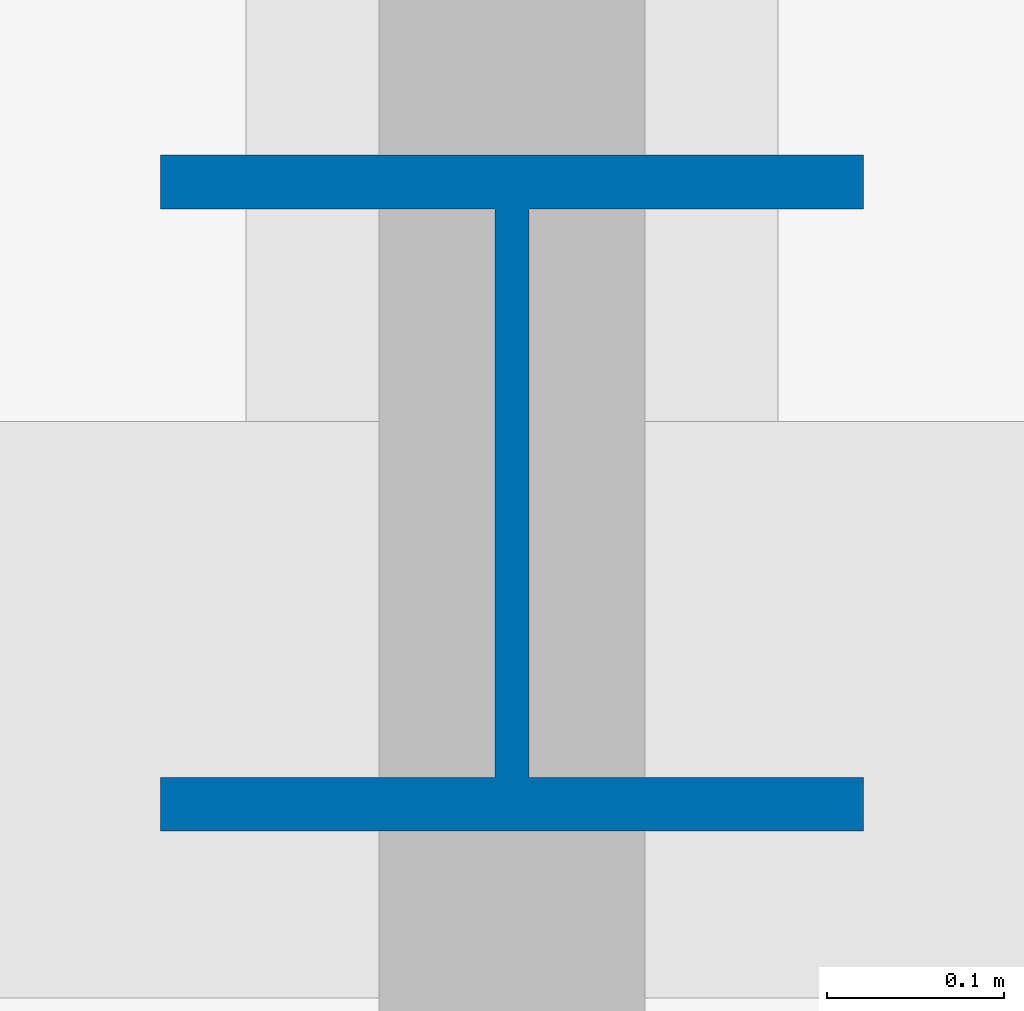
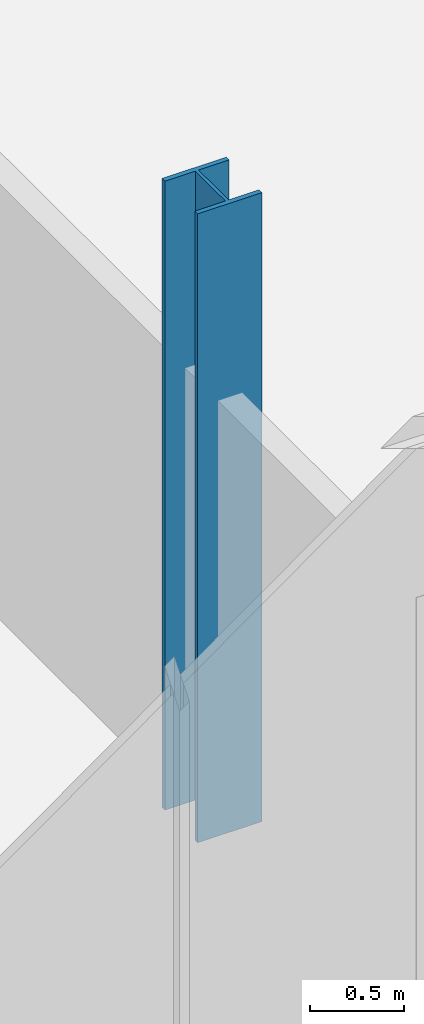
# One storey, part 2 of 22: 1 column.
"""IFC4 building model written with IfcOpenShell, lengths in metres."""

import ifcopenshell
import ifcopenshell.guid

model = None  # the IFC model being written
_history = None  # IfcOwnerHistory: only IFC2X3 demands one
_inside = {}  # id of a spatial element -> (the spatial element, [elements in it])
_under = {}  # id of a project, library or spatial element -> (it, [spatial elements below it])
_declared = {}  # id of a project -> (the project, [libraries it declares])
_typed = {}  # id of a type object -> (the type object, [elements of that type])
_made_of = {}  # id of a material, layer set ... -> (it, [elements and type objects made of it])


def new_model(schema):
    """Start an empty IFC model of exactly this schema.

    Asked for "IFC4X3", IfcOpenShell would pick the latest addendum, in which some entities
    have other attributes; the version numbers below select the first issue.
    IFC2X3 requires an IfcOwnerHistory on every rooted entity: one is made here for all.
    """
    global model, _history
    if schema == "IFC4X3":
        model = ifcopenshell.file(schema_version=(4, 3, 0, 0))
    else:
        model = ifcopenshell.file(schema=schema)
    _inside.clear()
    _under.clear()
    _declared.clear()
    _typed.clear()
    _made_of.clear()
    _history = None
    if model.schema == "IFC2X3":
        org = make("IfcOrganization", Name="unknown")
        user = make(
            "IfcPersonAndOrganization",
            ThePerson=make("IfcPerson", FamilyName="unknown"),
            TheOrganization=org,
        )
        app = make(
            "IfcApplication",
            ApplicationDeveloper=org,
            Version="unknown",
            ApplicationFullName="unknown",
            ApplicationIdentifier="unknown",
        )
        _history = make(
            "IfcOwnerHistory",
            OwningUser=user,
            OwningApplication=app,
            ChangeAction="ADDED",
            CreationDate=0,
        )
    return model


def make(cls, **values):
    """One entity of the class cls with the attributes given. An attribute that is None is left unset."""
    return model.create_entity(
        cls, **{name: value for name, value in values.items() if value is not None}
    )


def rooted(cls, **values):
    """An entity with a GlobalId (a new one), such as an element, a storey or a relation."""
    return make(cls, GlobalId=ifcopenshell.guid.new(), OwnerHistory=_history, **values)


def si_unit(unit_type, name, prefix=None):
    """IfcSIUnit, for example si_unit("LENGTHUNIT", "METRE", prefix="MILLI")."""
    return make("IfcSIUnit", UnitType=unit_type, Prefix=prefix, Name=name)


def assignment(units):
    """IfcUnitAssignment: the units of a project."""
    return None if units is None else make("IfcUnitAssignment", Units=units)


def point(xyz):
    """IfcCartesianPoint."""
    return None if xyz is None else make("IfcCartesianPoint", Coordinates=xyz)


def direction(xyz):
    """IfcDirection."""
    return None if xyz is None else make("IfcDirection", DirectionRatios=xyz)


def frame(location, z_axis=None, x_axis=None):
    """IfcAxis2Placement3D, a coordinate frame: its origin and axes. An axis left out is left unset."""
    return make(
        "IfcAxis2Placement3D",
        Location=point(location),
        Axis=direction(z_axis),
        RefDirection=direction(x_axis),
    )


def frame_2d(location, x_axis=None):
    """IfcAxis2Placement2D, a coordinate frame in the plane: its origin and x axis."""
    return make(
        "IfcAxis2Placement2D", Location=point(location), RefDirection=direction(x_axis)
    )


def origin():
    """The frame at (0, 0, 0) with its axes left unset."""
    return frame((0.0, 0.0, 0.0))


def origin_2d():
    """The frame at (0, 0) in the plane with its x axis left unset."""
    return frame_2d((0.0, 0.0))


def place(relative_to, where):
    """IfcLocalPlacement: puts the frame where relative to a parent placement (None: the world)."""
    return make(
        "IfcLocalPlacement", PlacementRelTo=relative_to, RelativePlacement=where
    )


def context(
    kind, dimensions, precision=None, world=None, true_north=None, identifier=None
):
    """IfcGeometricRepresentationContext, for example the 3D "Model" context."""
    return make(
        "IfcGeometricRepresentationContext",
        ContextIdentifier=identifier,
        ContextType=kind,
        CoordinateSpaceDimension=dimensions,
        Precision=precision,
        WorldCoordinateSystem=world,
        TrueNorth=true_north,
    )


def subcontext(parent, identifier, kind, view, scale=None):
    """IfcGeometricRepresentationSubContext, for example "Body" below "Model"."""
    return make(
        "IfcGeometricRepresentationSubContext",
        ContextIdentifier=identifier,
        ContextType=kind,
        ParentContext=parent,
        TargetScale=scale,
        TargetView=view,
    )


def project(units=None, contexts=None):
    """IfcProject with its units and contexts."""
    return rooted(
        "IfcProject",
        Name="project",
        RepresentationContexts=contexts,
        UnitsInContext=assignment(units),
    )


def spatial(cls, under=None, at=None, **own):
    """A site, building, storey or space (cls), placed at a placement, below another one or the project."""
    s = rooted(cls, ObjectPlacement=at, **own)
    if under is not None:
        _under.setdefault(under.id(), (under, []))[1].append(s)
    return s


def profile(cls, at=None, kind="AREA", **sizes):
    """A parametric profile (cls). Its sizes go by their IFC names, for example OverallWidth=200.0."""
    return make(cls, ProfileType=kind, Position=at, **sizes)


def i_section(**sizes):
    """IfcIShapeProfileDef."""
    return profile("IfcIShapeProfileDef", **sizes)


def extrude(swept, where, along, depth):
    """IfcExtrudedAreaSolid: the profile swept, set in the frame where, extruded along a direction by depth."""
    return make(
        "IfcExtrudedAreaSolid",
        SweptArea=swept,
        Position=where,
        ExtrudedDirection=direction(along),
        Depth=depth,
    )


def shape(context_of_items, identifier, shape_type, items):
    """IfcShapeRepresentation: the items that make up one representation, for example the "Body"."""
    return make(
        "IfcShapeRepresentation",
        ContextOfItems=context_of_items,
        RepresentationIdentifier=identifier,
        RepresentationType=shape_type,
        Items=items,
    )


def material(Name=None, Category=None):
    """IfcMaterial."""
    return make("IfcMaterial", Name=Name, Category=Category)


def material_profile(
    of_material, cross_section, Name=None, Category=None, Priority=None
):
    """IfcMaterialProfile: a cross section and its material."""
    return make(
        "IfcMaterialProfile",
        Name=Name,
        Material=of_material,
        Profile=cross_section,
        Priority=Priority,
        Category=Category,
    )


def profile_set(profiles, Name=None, composite=None):
    """IfcMaterialProfileSet."""
    return make(
        "IfcMaterialProfileSet",
        Name=Name,
        MaterialProfiles=profiles,
        CompositeProfile=composite,
    )


def made_of(thing, what):
    """Note that an element or type object is made of a material, layer set ...; save() writes the relation."""
    if what is not None:
        _made_of.setdefault(what.id(), (what, []))[1].append(thing)
    return thing


def type_object(cls, material=None, **own):
    """A type object (cls), such as IfcWallType, which elements share."""
    return made_of(rooted(cls, **own), material)


def element(
    cls,
    number,
    at=None,
    inside=None,
    cuts=None,
    type_object=None,
    material=None,
    context=None,
    identifier="Body",
    shape_type=None,
    held_by="IfcProductDefinitionShape",
    body=None,
    shapes=None,
    **own,
):
    """One element of the class cls, such as IfcWall. Its Tag is "e" and its number.

    at: its placement. inside: the storey or other place that contains it. cuts: it is an
    opening in that element (IfcRelVoidsElement). A single representation is given by context,
    identifier, shape_type and body (its items); several are given by shapes. held_by: the class
    of the entity that holds the representations. save() writes the other relations.
    """
    e = rooted(cls, Tag="e%d" % number, ObjectPlacement=at, **own)
    if body is not None:
        shapes = [shape(context, identifier, shape_type, body)]
    if shapes is not None:
        e.Representation = make(held_by, Representations=shapes)
    if inside is not None:
        _inside.setdefault(inside.id(), (inside, []))[1].append(e)
    if cuts is not None:
        rooted(
            "IfcRelVoidsElement", RelatingBuildingElement=cuts, RelatedOpeningElement=e
        )
    if type_object is not None:
        _typed.setdefault(type_object.id(), (type_object, []))[1].append(e)
    return made_of(e, material)


def aggregate(whole, parts):
    """IfcRelAggregates: a whole, such as a stair, and the parts it consists of."""
    return rooted("IfcRelAggregates", RelatingObject=whole, RelatedObjects=parts)


def save(model, path):
    """Write the relations noted so far, then the file.

    IfcRelAggregates (storeys below a building ...), IfcRelContainedInSpatialStructure (elements
    in a storey), IfcRelDefinesByType, IfcRelAssociatesMaterial and IfcRelDeclares: one each for
    every whole, place, type object, material and project.
    """
    for whole, parts in _under.values():
        aggregate(whole, parts)
    for where, things in _inside.values():
        rooted(
            "IfcRelContainedInSpatialStructure",
            RelatedElements=things,
            RelatingStructure=where,
        )
    for kind, things in _typed.values():
        rooted("IfcRelDefinesByType", RelatedObjects=things, RelatingType=kind)
    for what, things in _made_of.values():
        rooted("IfcRelAssociatesMaterial", RelatedObjects=things, RelatingMaterial=what)
    for by, libraries in _declared.values():
        rooted("IfcRelDeclares", RelatingContext=by, RelatedDefinitions=libraries)
    model.write(path)


model = new_model("IFC4")

# Units and contexts
model_context = context("Model", 3, precision=1e-05, world=origin(), true_north=direction((0.0, 1.0)))
body_context = subcontext(model_context, "Body", "Model", "MODEL_VIEW")
ifc_project = project(units=[si_unit("LENGTHUNIT", "METRE"), si_unit("AREAUNIT", "SQUARE_METRE"), si_unit("VOLUMEUNIT", "CUBIC_METRE"), si_unit("PLANEANGLEUNIT", "RADIAN"), si_unit("MASSUNIT", "GRAM", prefix="KILO")], contexts=[model_context])

# Site, building, storey
site_placement = place(None, origin())
site = spatial("IfcSite", under=ifc_project, at=site_placement, CompositionType="ELEMENT")
building_placement = place(site_placement, origin())
building = spatial("IfcBuilding", under=site, at=building_placement, Name="Bicima Exchange Tower", CompositionType="ELEMENT")
storey_placement = place(building_placement, frame((0.0, 0.0, 144.5)))
storey = spatial("IfcBuildingStorey", under=building, at=storey_placement, Name="L31", CompositionType="ELEMENT", Elevation=144.5)

# Column
ifc_material = material(Name="Steel ASTM A992 Gr 50", Category="steel")
ifc_material_profile = material_profile(ifc_material, i_section(OverallWidth=0.396240234375, OverallDepth=0.381103515625, WebThickness=0.01904296875, FlangeThickness=0.0302734375, at=origin_2d()))
ifc_profile_set = profile_set([ifc_material_profile], Name="Steel ASTM A992 Gr 50")
column_type = type_object("IfcColumnType", Name="Perimeter column W14x159", PredefinedType="COLUMN", material=ifc_profile_set)
column_placement = place(storey_placement, frame((26.10009765625, -33.3779296875, 0.0), z_axis=(0.0, 0.0, 1.0), x_axis=(1.0, 0.0, 0.0)))
element("IfcColumn", 1, at=column_placement, inside=storey, type_object=column_type, Name="Perimeter column grav+26.1f", PredefinedType="COLUMN", context=body_context, shape_type="SweptSolid", body=[
    extrude(i_section(OverallWidth=0.396240234375, OverallDepth=0.381103515625, WebThickness=0.01904296875, FlangeThickness=0.0302734375, at=origin_2d()), origin(), (0.0, 0.0, 1.0), 4.10009765625),
])

save(model, "model.ifc")
